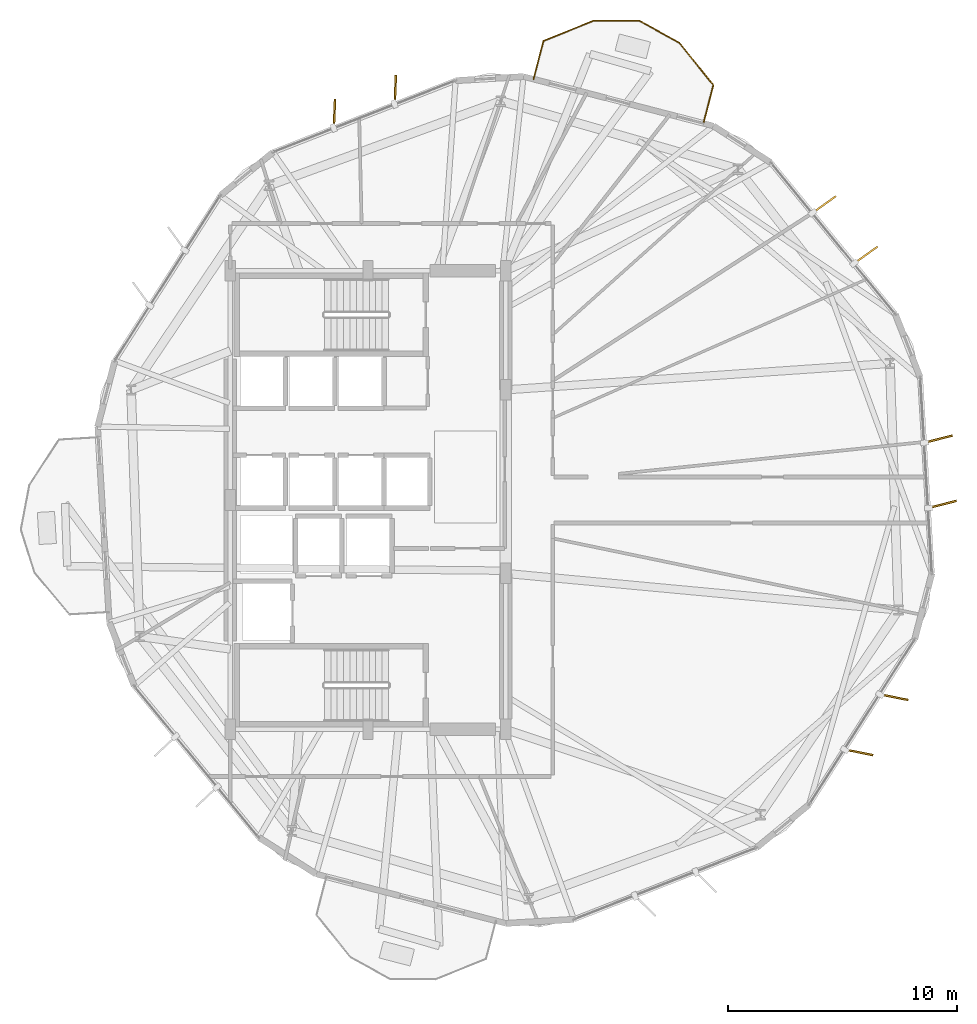
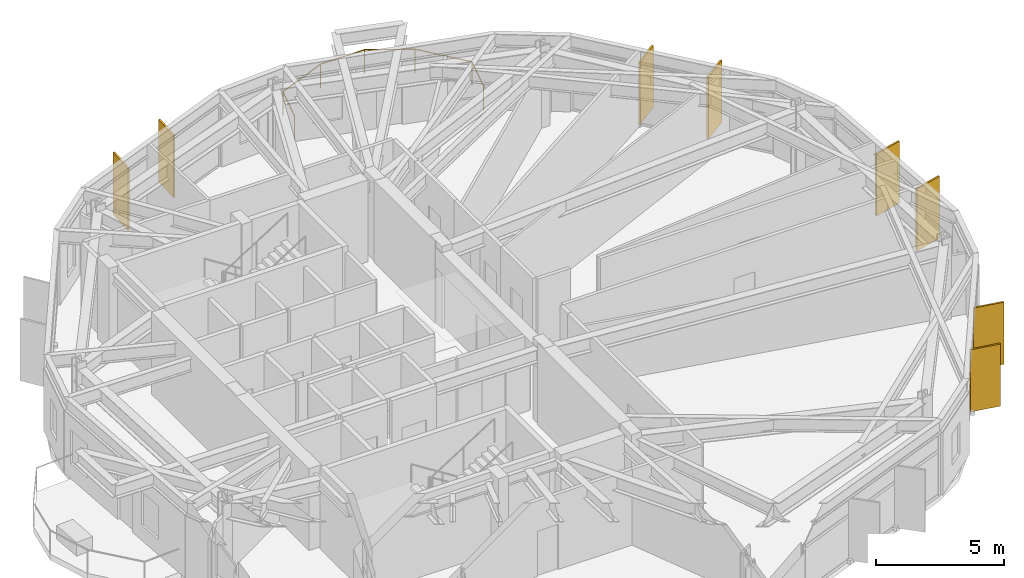
# One storey, part 22 of 22: 8 shading devices, 1 railing.
"""IFC4 building model written with IfcOpenShell, lengths in metres."""

from ifc_helpers import new_model, si_unit, direction, frame, origin, origin_2d, place, context, subcontext, project, spatial, rectangle, circle, extrude, material, layer, layer_set, type_object, element, save


model = new_model("IFC4")

# Units and contexts
model_context = context("Model", 3, precision=1e-05, world=origin(), true_north=direction((0.0, 1.0)))
body_context = subcontext(model_context, "Body", "Model", "MODEL_VIEW")
ifc_project = project(units=[si_unit("LENGTHUNIT", "METRE"), si_unit("AREAUNIT", "SQUARE_METRE"), si_unit("VOLUMEUNIT", "CUBIC_METRE"), si_unit("PLANEANGLEUNIT", "RADIAN"), si_unit("MASSUNIT", "GRAM", prefix="KILO")], contexts=[model_context])

# Site, building, storey
site_placement = place(None, origin())
site = spatial("IfcSite", under=ifc_project, at=site_placement, CompositionType="ELEMENT")
building_placement = place(site_placement, origin())
building = spatial("IfcBuilding", under=site, at=building_placement, Name="Soratama Intermodal Tower", CompositionType="ELEMENT")
storey_placement = place(building_placement, frame((0.0, 0.0, 110.800048828125)))
storey = spatial("IfcBuildingStorey", under=building, at=storey_placement, Name="L26", CompositionType="ELEMENT", Elevation=110.800048828125)

# Railing
ifc_material_1 = material(Name="Laminated glass and stainless steel balustrade", Category="steel")
railing_type = type_object("IfcRailingType", Name="RL-BAL-1150", PredefinedType="BALUSTRADE", material=ifc_material_1)
railing_placement = place(storey_placement, frame((45.818115234375, 43.346923828125, 0.0)))
element("IfcRailing", 1, at=railing_placement, inside=storey, type_object=railing_type, Name="L26 Balcony Balustrade 1", PredefinedType="BALUSTRADE", context=body_context, shape_type="SweptSolid", body=[
    extrude(circle(Radius=0.02392578125, at=origin_2d()), frame((0.0, 0.0, 1.1259765625), z_axis=(0.251774763662, 0.967785858743, 0.0), x_axis=(-0.967785858743, 0.251774763662, 0.0)), (0.0, 0.0, 1.0), 1.72021484375),
    extrude(circle(Radius=0.02392578125, at=origin_2d()), frame((0.43310546875, 1.664794921875, 1.1259765625), z_axis=(0.927788840012, 0.37310570667, 0.0), x_axis=(-0.37310570667, 0.927788840012, 0.0)), (0.0, 0.0, 1.0), 2.3798828125),
    extrude(circle(Radius=0.02392578125, at=origin_2d()), frame((2.64111328125, 2.552734375, 1.1259765625), z_axis=(0.99998010038, -0.006308632499, 0.0), x_axis=(0.006308632499, 0.99998010038, 0.0)), (0.0, 0.0, 1.0), 1.9736328125),
    extrude(circle(Radius=0.02392578125, at=origin_2d()), frame((4.61474609375, 2.540283203125, 1.1259765625), z_axis=(0.876307291525, -0.481752561819, 0.0), x_axis=(0.481752561819, 0.876307291525, 0.0)), (0.0, 0.0, 1.0), 1.973876953125),
    extrude(circle(Radius=0.02392578125, at=origin_2d()), frame((6.344482421875, 1.58935546875, 1.1259765625), z_axis=(0.628353822328, -0.777927679136, 0.0), x_axis=(0.777927679136, 0.628353822328, 0.0)), (0.0, 0.0, 1.0), 2.3798828125),
    extrude(circle(Radius=0.02392578125, at=origin_2d()), frame((7.83984375, -0.261962890625, 1.1259765625), z_axis=(-0.251676399132, -0.967811443474, 0.0), x_axis=(0.967811443474, -0.251676399132, 0.0)), (0.0, 0.0, 1.0), 1.719970703125),
    extrude(circle(Radius=0.02099609375, at=origin_2d()), origin(), (0.0, 0.0, 1.0), 1.101806640625),
    extrude(circle(Radius=0.02099609375, at=origin_2d()), frame((0.43310546875, 1.664794921875, 0.0)), (0.0, 0.0, 1.0), 1.101806640625),
    extrude(circle(Radius=0.02099609375, at=origin_2d()), frame((2.64111328125, 2.552734375, 0.0)), (0.0, 0.0, 1.0), 1.101806640625),
    extrude(circle(Radius=0.02099609375, at=origin_2d()), frame((4.61474609375, 2.540283203125, 0.0)), (0.0, 0.0, 1.0), 1.101806640625),
    extrude(circle(Radius=0.02099609375, at=origin_2d()), frame((6.344482421875, 1.58935546875, 0.0)), (0.0, 0.0, 1.0), 1.101806640625),
    extrude(circle(Radius=0.02099609375, at=origin_2d()), frame((7.83984375, -0.261962890625, 0.0)), (0.0, 0.0, 1.0), 1.101806640625),
    extrude(circle(Radius=0.02099609375, at=origin_2d()), frame((7.406982421875, -1.926513671875, 0.0)), (0.0, 0.0, 1.0), 1.101806640625),
])

# Shading devices
ifc_material_2 = material(Name="Champagne anodised aluminium solar fin", Category="aluminium")
ifc_layer = layer(ifc_material_2, 0.080078125)
ifc_layer_set = layer_set([ifc_layer], Name="Champagne anodised aluminium solar fin")
shading_device_type = type_object("IfcShadingDeviceType", Name="SH-FIN-1250", PredefinedType="USERDEFINED", material=ifc_layer_set)
for number, where, z_axis, x_axis, name in (
    (2, (60.30517578125, 35.680908203125, 0.02001953125), (0.0, 0.0, 1.0), (0.812388957023, 0.583115925445, 0.0), "L26 Solar Fin F01-1"),
    (3, (58.49462890625, 37.88330078125, 0.02001953125), (0.0, 0.0, 1.0), (0.812388957023, 0.583115925445, 0.0), "L26 Solar Fin F01-2"),
    (4, (39.79296875, 42.88671875, 0.02001953125), (0.0, 0.0, 1.0), (0.039783005453, 0.999208342878, 0.0), "L26 Solar Fin F03-1"),
    (5, (37.138916015625, 41.84521484375, 0.02001953125), (0.0, 0.0, 1.0), (0.039783005453, 0.999208342878, 0.0), "L26 Solar Fin F03-2"),
    (6, (60.000732421875, 14.001220703125, 0.02001953125), (0.0, 0.0, 1.0), (0.980955155349, -0.19423435122, 0.0), "L26 Solar Fin F09-1"),
    (7, (61.535888671875, 16.40380859375, 0.02001953125), (0.0, 0.0, 1.0), (0.980955155349, -0.19423435122, 0.0), "L26 Solar Fin F09-2"),
    (8, (63.64013671875, 24.80810546875, 0.02001953125), (0.0, 0.0, 1.0), (0.968929453452, 0.247337247968, 0.0), "L26 Solar Fin F10-1"),
    (9, (63.47021484375, 27.654052734375, 0.02001953125), (0.0, 0.0, 1.0), (0.968929453452, 0.247337247968, 0.0), "L26 Solar Fin F10-2"),
):
    element("IfcShadingDevice", number, at=place(storey_placement, frame(where, z_axis=z_axis, x_axis=x_axis)), inside=storey, type_object=shading_device_type, Name=name, ObjectType="FIN", PredefinedType="USERDEFINED", context=body_context, shape_type="SweptSolid", body=[
        extrude(rectangle(XDim=1.25, YDim=0.080078125, at=origin_2d()), origin(), (0.0, 0.0, 1.0), 2.958984375),
    ])

save(model, "model.ifc")
